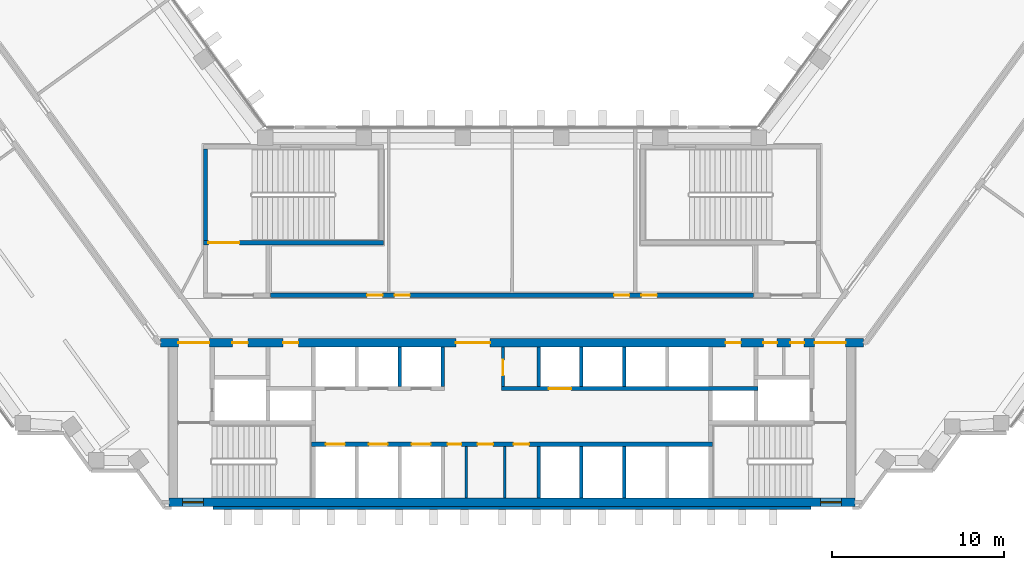
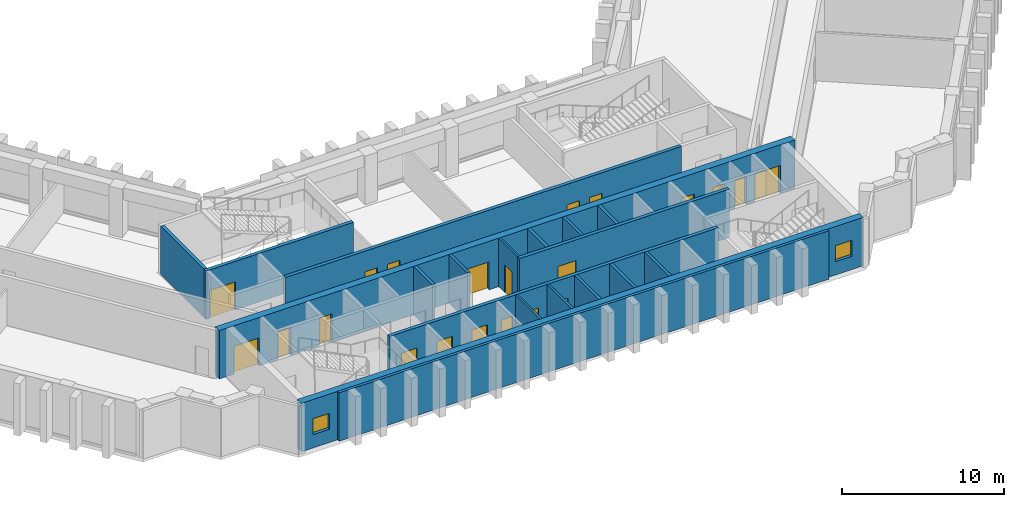
# One storey, part 6 of 13: 21 doors, 19 walls, 2 windows, 23 openings.
"""IFC4 building model written with IfcOpenShell, lengths in metres."""

from ifc_helpers import new_model, si_unit, direction, frame, frame_2d, origin, place, context, subcontext, project, spatial, rectangle, extrude, material, layer, layer_set, type_object, element, fill, save


model = new_model("IFC4")

# Units and contexts
model_context = context("Model", 3, precision=1e-05, world=origin(), true_north=direction((0.0, 1.0)))
body_context = subcontext(model_context, "Body", "Model", "MODEL_VIEW")
ifc_project = project(units=[si_unit("LENGTHUNIT", "METRE"), si_unit("AREAUNIT", "SQUARE_METRE"), si_unit("VOLUMEUNIT", "CUBIC_METRE"), si_unit("PLANEANGLEUNIT", "RADIAN"), si_unit("MASSUNIT", "GRAM", prefix="KILO")], contexts=[model_context])

# Site, building, storey
site_placement = place(None, origin())
site = spatial("IfcSite", under=ifc_project, at=site_placement, CompositionType="ELEMENT")
building_placement = place(site_placement, origin())
building = spatial("IfcBuilding", under=site, at=building_placement, Name="Quipu Civic Tower", CompositionType="ELEMENT")
storey_placement = place(building_placement, frame((0.0, 0.0, 67.0)))
storey = spatial("IfcBuildingStorey", under=building, at=storey_placement, Name="L15", CompositionType="ELEMENT", Elevation=67.0)

# Wall, openings, doors
ifc_material_1 = material(Name="Concrete C70/85", Category="concrete")
ifc_layer_1 = layer(ifc_material_1, 0.25)
ifc_layer_set_1 = layer_set([ifc_layer_1], Name="Concrete C70/85")
wall_type_1 = type_object("IfcWallType", Name="Core wall 250", PredefinedType="SHEAR", material=ifc_layer_set_1)
wall_1_placement = place(storey_placement, frame((11.699951171875, -7.375, 0.0), z_axis=(0.0, 0.0, 1.0), x_axis=(-1.0, 0.0, 0.0)))
wall_1 = element("IfcWall", 1, at=wall_1_placement, inside=storey, type_object=wall_type_1, Name="Core wall", PredefinedType="SHEAR", context=body_context, shape_type="SweptSolid", body=[
    extrude(rectangle(XDim=23.39990234375, YDim=0.25, at=frame_2d((11.699951171875, 0.0))), origin(), (0.0, 0.0, 1.0), 3.64990234375),
])
opening_1_placement = place(wall_1_placement, frame((21.449951171875, 0.0, 0.0)))
opening_1 = element("IfcOpeningElement", 2, at=opening_1_placement, cuts=wall_1, Name="Opening LD-LL1", PredefinedType="OPENING", context=body_context, shape_type="SweptSolid", body=[
    extrude(rectangle(XDim=1.10009765625, YDim=2.10009765625, at=frame_2d((0.550048828125, 1.050048828125))), frame((0.0, 0.135009765625, 0.0), z_axis=(0.0, -1.0, 0.0), x_axis=(1.0, 0.0, 0.0)), (0.0, 0.0, 1.0), 0.27001953125),
])
opening_2_placement = place(wall_1_placement, frame((18.949951171875, 0.0, 0.0)))
opening_2 = element("IfcOpeningElement", 3, at=opening_2_placement, cuts=wall_1, Name="Opening LD-LL2", PredefinedType="OPENING", context=body_context, shape_type="SweptSolid", body=[
    extrude(rectangle(XDim=1.10009765625, YDim=2.10009765625, at=frame_2d((0.550048828125, 1.050048828125))), frame((0.0, 0.135009765625, 0.0), z_axis=(0.0, -1.0, 0.0), x_axis=(1.0, 0.0, 0.0)), (0.0, 0.0, 1.0), 0.27001953125),
])
opening_3_placement = place(wall_1_placement, frame((16.449951171875, 0.0, 0.0)))
opening_3 = element("IfcOpeningElement", 4, at=opening_3_placement, cuts=wall_1, Name="Opening LD-LL3", PredefinedType="OPENING", context=body_context, shape_type="SweptSolid", body=[
    extrude(rectangle(XDim=1.10009765625, YDim=2.10009765625, at=frame_2d((0.550048828125, 1.050048828125))), frame((0.0, 0.135009765625, 0.0), z_axis=(0.0, -1.0, 0.0), x_axis=(1.0, 0.0, 0.0)), (0.0, 0.0, 1.0), 0.27001953125),
])
opening_4_placement = place(wall_1_placement, frame((14.64990234375, 0.0, 0.0)))
opening_4 = element("IfcOpeningElement", 5, at=opening_4_placement, cuts=wall_1, Name="Opening CD-01", PredefinedType="OPENING", context=body_context, shape_type="SweptSolid", body=[
    extrude(rectangle(XDim=0.800048828125, YDim=2.10009765625, at=frame_2d((0.39990234375, 1.050048828125))), frame((0.0, 0.135009765625, 0.0), z_axis=(0.0, -1.0, 0.0), x_axis=(1.0, 0.0, 0.0)), (0.0, 0.0, 1.0), 0.27001953125),
])
opening_5_placement = place(wall_1_placement, frame((12.800048828125, 0.0, 0.0)))
opening_5 = element("IfcOpeningElement", 6, at=opening_5_placement, cuts=wall_1, Name="Opening CD-02", PredefinedType="OPENING", context=body_context, shape_type="SweptSolid", body=[
    extrude(rectangle(XDim=0.89990234375, YDim=2.10009765625, at=frame_2d((0.449951171875, 1.050048828125))), frame((0.0, 0.135009765625, 0.0), z_axis=(0.0, -1.0, 0.0), x_axis=(1.0, 0.0, 0.0)), (0.0, 0.0, 1.0), 0.27001953125),
])
opening_6_placement = place(wall_1_placement, frame((10.699951171875, 0.0, 0.0)))
opening_6 = element("IfcOpeningElement", 7, at=opening_6_placement, cuts=wall_1, Name="Opening CD-03", PredefinedType="OPENING", context=body_context, shape_type="SweptSolid", body=[
    extrude(rectangle(XDim=0.89990234375, YDim=2.10009765625, at=frame_2d((0.449951171875, 1.050048828125))), frame((0.0, 0.135009765625, 0.0), z_axis=(0.0, -1.0, 0.0), x_axis=(1.0, 0.0, 0.0)), (0.0, 0.0, 1.0), 0.27001953125),
])
ifc_material_2 = material(Name="Fire rated steel door", Category="steel")
door_type_1 = type_object("IfcDoorType", Name="Fire door FD60 800 x 2100", OperationType="NOTDEFINED", PredefinedType="DOOR", material=ifc_material_2)
door_1_placement = place(opening_4_placement, origin())
door_1 = element("IfcDoor", 8, at=door_1_placement, inside=storey, type_object=door_type_1, Name="Door", OperationType="SINGLE_SWING_RIGHT", OverallHeight=2.10009765625, OverallWidth=0.800048828125, PredefinedType="DOOR", context=body_context, shape_type="SweptSolid", body=[
    extrude(rectangle(XDim=0.800048828125, YDim=2.10009765625, at=frame_2d((0.39990234375, 1.050048828125))), frame((0.0, 0.02490234375, 0.0), z_axis=(0.0, -1.0, 0.0), x_axis=(1.0, 0.0, 0.0)), (0.0, 0.0, 1.0), 0.050048828125),
])
fill(opening_4, door_1)
ifc_material_3 = material(Name="Fire rated steel door", Category="steel")
door_type_2 = type_object("IfcDoorType", Name="Fire door FD60 900 x 2100", OperationType="NOTDEFINED", PredefinedType="DOOR", material=ifc_material_3)
door_2_placement = place(opening_5_placement, origin())
door_2 = element("IfcDoor", 9, at=door_2_placement, inside=storey, type_object=door_type_2, Name="WC door", OperationType="SINGLE_SWING_RIGHT", OverallHeight=2.10009765625, OverallWidth=0.89990234375, PredefinedType="DOOR", context=body_context, shape_type="SweptSolid", body=[
    extrude(rectangle(XDim=0.89990234375, YDim=2.10009765625, at=frame_2d((0.449951171875, 1.050048828125))), frame((0.0, 0.02490234375, 0.0), z_axis=(0.0, -1.0, 0.0), x_axis=(1.0, 0.0, 0.0)), (0.0, 0.0, 1.0), 0.050048828125),
])
fill(opening_5, door_2)
door_3_placement = place(opening_6_placement, origin())
door_3 = element("IfcDoor", 10, at=door_3_placement, inside=storey, type_object=door_type_2, Name="WC door", OperationType="SINGLE_SWING_LEFT", OverallHeight=2.10009765625, OverallWidth=0.89990234375, PredefinedType="DOOR", context=body_context, shape_type="SweptSolid", body=[
    extrude(rectangle(XDim=0.89990234375, YDim=2.10009765625, at=frame_2d((0.449951171875, 1.050048828125))), frame((0.0, 0.02490234375, 0.0), z_axis=(0.0, -1.0, 0.0), x_axis=(1.0, 0.0, 0.0)), (0.0, 0.0, 1.0), 0.050048828125),
])
fill(opening_6, door_3)
ifc_material_4 = material(Name="Stainless steel", Category="steel")
door_type_3 = type_object("IfcDoorType", Name="Lift landing door 1100 x 2100", OperationType="DOUBLE_DOOR_SLIDING", PredefinedType="DOOR", material=ifc_material_4)
door_4_placement = place(opening_1_placement, origin())
door_4 = element("IfcDoor", 11, at=door_4_placement, inside=storey, type_object=door_type_3, Name="Landing door LL1", OperationType="DOUBLE_DOOR_SLIDING", OverallHeight=2.10009765625, OverallWidth=1.10009765625, PredefinedType="DOOR", context=body_context, shape_type="SweptSolid", body=[
    extrude(rectangle(XDim=1.10009765625, YDim=2.10009765625, at=frame_2d((0.550048828125, 1.050048828125))), frame((0.0, 0.02490234375, 0.0), z_axis=(0.0, -1.0, 0.0), x_axis=(1.0, 0.0, 0.0)), (0.0, 0.0, 1.0), 0.050048828125),
])
fill(opening_1, door_4)
door_5_placement = place(opening_2_placement, origin())
door_5 = element("IfcDoor", 12, at=door_5_placement, inside=storey, type_object=door_type_3, Name="Landing door LL2", OperationType="DOUBLE_DOOR_SLIDING", OverallHeight=2.10009765625, OverallWidth=1.10009765625, PredefinedType="DOOR", context=body_context, shape_type="SweptSolid", body=[
    extrude(rectangle(XDim=1.10009765625, YDim=2.10009765625, at=frame_2d((0.550048828125, 1.050048828125))), frame((0.0, 0.02490234375, 0.0), z_axis=(0.0, -1.0, 0.0), x_axis=(1.0, 0.0, 0.0)), (0.0, 0.0, 1.0), 0.050048828125),
])
fill(opening_2, door_5)
door_6_placement = place(opening_3_placement, origin())
door_6 = element("IfcDoor", 13, at=door_6_placement, inside=storey, type_object=door_type_3, Name="Landing door LL3", OperationType="DOUBLE_DOOR_SLIDING", OverallHeight=2.10009765625, OverallWidth=1.10009765625, PredefinedType="DOOR", context=body_context, shape_type="SweptSolid", body=[
    extrude(rectangle(XDim=1.10009765625, YDim=2.10009765625, at=frame_2d((0.550048828125, 1.050048828125))), frame((0.0, 0.02490234375, 0.0), z_axis=(0.0, -1.0, 0.0), x_axis=(1.0, 0.0, 0.0)), (0.0, 0.0, 1.0), 0.050048828125),
])
fill(opening_3, door_6)

# Wall, opening, door
wall_2_placement = place(storey_placement, frame((-0.60009765625, -4.125, 0.0), z_axis=(0.0, 0.0, 1.0), x_axis=(1.0, 0.0, 0.0)))
wall_2 = element("IfcWall", 14, at=wall_2_placement, inside=storey, type_object=wall_type_1, Name="Core wall", PredefinedType="SHEAR", context=body_context, shape_type="SweptSolid", body=[
    extrude(rectangle(XDim=14.9501953125, YDim=0.25, at=frame_2d((7.47509765625, 0.0))), origin(), (0.0, 0.0, 1.0), 3.64990234375),
])
opening_7_placement = place(wall_2_placement, frame((2.75, 0.0, 0.0)))
opening_7 = element("IfcOpeningElement", 15, at=opening_7_placement, cuts=wall_2, Name="Opening LD-FF3", PredefinedType="OPENING", context=body_context, shape_type="SweptSolid", body=[
    extrude(rectangle(XDim=1.300048828125, YDim=2.10009765625, at=frame_2d((0.64990234375, 1.050048828125))), frame((0.0, 0.135009765625, 0.0), z_axis=(0.0, -1.0, 0.0), x_axis=(1.0, 0.0, 0.0)), (0.0, 0.0, 1.0), 0.27001953125),
])
ifc_material_5 = material(Name="Stainless steel", Category="steel")
door_type_4 = type_object("IfcDoorType", Name="Lift landing door 1300 x 2100", OperationType="DOUBLE_DOOR_SLIDING", PredefinedType="DOOR", material=ifc_material_5)
door_7_placement = place(opening_7_placement, origin())
door_7 = element("IfcDoor", 16, at=door_7_placement, inside=storey, type_object=door_type_4, Name="Landing door FF3", OperationType="DOUBLE_DOOR_SLIDING", OverallHeight=2.10009765625, OverallWidth=1.300048828125, PredefinedType="DOOR", context=body_context, shape_type="SweptSolid", body=[
    extrude(rectangle(XDim=1.300048828125, YDim=2.10009765625, at=frame_2d((0.64990234375, 1.050048828125))), frame((0.0, 0.02490234375, 0.0), z_axis=(0.0, -1.0, 0.0), x_axis=(1.0, 0.0, 0.0)), (0.0, 0.0, 1.0), 0.050048828125),
])
fill(opening_7, door_7)

wall_3_placement = place(storey_placement, frame((-18.0, 4.375, 0.0), z_axis=(0.0, 0.0, 1.0), x_axis=(1.0, 0.0, 0.0)))
wall_3 = element("IfcWall", 17, at=wall_3_placement, inside=storey, type_object=wall_type_1, Name="Core wall", PredefinedType="SHEAR", context=body_context, shape_type="SweptSolid", body=[
    extrude(rectangle(XDim=10.5, YDim=0.25, at=frame_2d((5.25, 0.0))), origin(), (0.0, 0.0, 1.0), 3.64990234375),
])
opening_8_placement = place(wall_3_placement, frame((0.300048828125, 0.0, 0.0)))
opening_8 = element("IfcOpeningElement", 18, at=opening_8_placement, cuts=wall_3, Name="Opening CD-16", PredefinedType="OPENING", context=body_context, shape_type="SweptSolid", body=[
    extrude(rectangle(XDim=1.800048828125, YDim=2.10009765625, at=frame_2d((0.89990234375, 1.050048828125))), frame((0.0, 0.135009765625, 0.0), z_axis=(0.0, -1.0, 0.0), x_axis=(1.0, 0.0, 0.0)), (0.0, 0.0, 1.0), 0.27001953125),
])
ifc_material_6 = material(Name="Fire rated steel door", Category="steel")
door_type_5 = type_object("IfcDoorType", Name="Fire door FD90 double 1800 x 2100", OperationType="NOTDEFINED", PredefinedType="DOOR", material=ifc_material_6)
door_8_placement = place(opening_8_placement, origin())
door_8 = element("IfcDoor", 19, at=door_8_placement, inside=storey, type_object=door_type_5, Name="Door", OperationType="DOUBLE_DOOR_SINGLE_SWING", OverallHeight=2.10009765625, OverallWidth=1.800048828125, PredefinedType="DOOR", context=body_context, shape_type="SweptSolid", body=[
    extrude(rectangle(XDim=1.800048828125, YDim=2.10009765625, at=frame_2d((0.89990234375, 1.050048828125))), frame((0.0, 0.02490234375, 0.0), z_axis=(0.0, -1.0, 0.0), x_axis=(1.0, 0.0, 0.0)), (0.0, 0.0, 1.0), 0.050048828125),
])
fill(opening_8, door_8)

# Wall
wall_4_placement = place(storey_placement, frame((-17.875, 4.5, 0.0), z_axis=(0.0, 0.0, 1.0), x_axis=(0.0, 1.0, 0.0)))
element("IfcWall", 20, at=wall_4_placement, inside=storey, type_object=wall_type_1, Name="Core wall", PredefinedType="SHEAR", context=body_context, shape_type="SweptSolid", body=[
    extrude(rectangle(XDim=5.35009765625, YDim=0.25, at=frame_2d((2.675048828125, 0.0))), origin(), (0.0, 0.0, 1.0), 3.64990234375),
])

# Wall, openings, windows
ifc_material_7 = material(Name="Concrete C70/85", Category="concrete")
ifc_layer_2 = layer(ifc_material_7, 0.5)
ifc_layer_set_2 = layer_set([ifc_layer_2], Name="Concrete C70/85")
wall_type_2 = type_object("IfcWallType", Name="Core wall 500", PredefinedType="SHEAR", material=ifc_layer_set_2)
wall_5_placement = place(storey_placement, frame((-20.0, -10.75, 0.0), z_axis=(0.0, 0.0, 1.0), x_axis=(1.0, 0.0, 0.0)))
wall_5 = element("IfcWall", 21, at=wall_5_placement, inside=storey, type_object=wall_type_2, Name="Core wall", PredefinedType="SHEAR", context=body_context, shape_type="SweptSolid", body=[
    extrude(rectangle(XDim=40.0, YDim=0.5, at=frame_2d((20.0, 0.0))), origin(), (0.0, 0.0, 1.0), 3.64990234375),
])
opening_9_placement = place(wall_5_placement, frame((0.800048828125, 0.0, 1.0)))
opening_9 = element("IfcOpeningElement", 22, at=opening_9_placement, cuts=wall_5, Name="Opening SV-1", PredefinedType="OPENING", context=body_context, shape_type="SweptSolid", body=[
    extrude(rectangle(XDim=1.199951171875, YDim=1.199951171875, at=frame_2d((0.60009765625, 0.60009765625))), frame((0.0, 0.260009765625, 0.0), z_axis=(0.0, -1.0, 0.0), x_axis=(1.0, 0.0, 0.0)), (0.0, 0.0, 1.0), 0.52001953125),
])
opening_10_placement = place(wall_5_placement, frame((38.0, 0.0, 1.0)))
opening_10 = element("IfcOpeningElement", 23, at=opening_10_placement, cuts=wall_5, Name="Opening SV-2", PredefinedType="OPENING", context=body_context, shape_type="SweptSolid", body=[
    extrude(rectangle(XDim=1.199951171875, YDim=1.199951171875, at=frame_2d((0.60009765625, 0.60009765625))), frame((0.0, 0.260009765625, 0.0), z_axis=(0.0, -1.0, 0.0), x_axis=(1.0, 0.0, 0.0)), (0.0, 0.0, 1.0), 0.52001953125),
])
ifc_material_8 = material(Name="Aluminium louvre", Category="aluminium")
window_type = type_object("IfcWindowType", Name="Stair ventilation louvre 1200 x 1200", PartitioningType="SINGLE_PANEL", PredefinedType="WINDOW", material=ifc_material_8)
window_1_placement = place(opening_9_placement, origin())
window_1 = element("IfcWindow", 24, at=window_1_placement, inside=storey, type_object=window_type, Name="Stair ventilation opening", OverallHeight=1.199951171875, OverallWidth=1.199951171875, PartitioningType="SINGLE_PANEL", PredefinedType="WINDOW", context=body_context, shape_type="SweptSolid", body=[
    extrude(rectangle(XDim=1.199951171875, YDim=1.199951171875, at=frame_2d((0.60009765625, 0.60009765625))), frame((0.0, 0.030029296875, 0.0), z_axis=(0.0, -1.0, 0.0), x_axis=(1.0, 0.0, 0.0)), (0.0, 0.0, 1.0), 0.06005859375),
])
fill(opening_9, window_1)
window_2_placement = place(opening_10_placement, origin())
window_2 = element("IfcWindow", 25, at=window_2_placement, inside=storey, type_object=window_type, Name="Stair ventilation opening", OverallHeight=1.199951171875, OverallWidth=1.199951171875, PartitioningType="SINGLE_PANEL", PredefinedType="WINDOW", context=body_context, shape_type="SweptSolid", body=[
    extrude(rectangle(XDim=1.199951171875, YDim=1.199951171875, at=frame_2d((0.60009765625, 0.60009765625))), frame((0.0, 0.030029296875, 0.0), z_axis=(0.0, -1.0, 0.0), x_axis=(1.0, 0.0, 0.0)), (0.0, 0.0, 1.0), 0.06005859375),
])
fill(opening_10, window_2)

# Wall, openings, doors
wall_6_placement = place(storey_placement, frame((20.489990234375, -1.449951171875, 0.0), z_axis=(0.0, 0.0, 1.0), x_axis=(-1.0, 0.0, 0.0)))
wall_6 = element("IfcWall", 26, at=wall_6_placement, inside=storey, type_object=wall_type_2, Name="Core wall", PredefinedType="SHEAR", context=body_context, shape_type="SweptSolid", body=[
    extrude(rectangle(XDim=40.97998046875, YDim=0.5, at=frame_2d((20.489990234375, 0.0))), origin(), (0.0, 0.0, 1.0), 3.64990234375),
])
opening_11_placement = place(wall_6_placement, frame((38.139892578125, 0.0, 0.0)))
opening_11 = element("IfcOpeningElement", 27, at=opening_11_placement, cuts=wall_6, Name="Opening CD-07", PredefinedType="OPENING", context=body_context, shape_type="SweptSolid", body=[
    extrude(rectangle(XDim=1.800048828125, YDim=2.10009765625, at=frame_2d((0.89990234375, 1.050048828125))), frame((0.0, 0.260009765625, 0.0), z_axis=(0.0, -1.0, 0.0), x_axis=(1.0, 0.0, 0.0)), (0.0, 0.0, 1.0), 0.52001953125),
])
opening_12_placement = place(wall_6_placement, frame((35.889892578125, 0.0, 0.0)))
opening_12 = element("IfcOpeningElement", 28, at=opening_12_placement, cuts=wall_6, Name="Opening CD-08", PredefinedType="OPENING", context=body_context, shape_type="SweptSolid", body=[
    extrude(rectangle(XDim=0.89990234375, YDim=2.10009765625, at=frame_2d((0.449951171875, 1.050048828125))), frame((0.0, 0.260009765625, 0.0), z_axis=(0.0, -1.0, 0.0), x_axis=(1.0, 0.0, 0.0)), (0.0, 0.0, 1.0), 0.52001953125),
])
opening_13_placement = place(wall_6_placement, frame((32.93994140625, 0.0, 0.0)))
opening_13 = element("IfcOpeningElement", 29, at=opening_13_placement, cuts=wall_6, Name="Opening CD-09", PredefinedType="OPENING", context=body_context, shape_type="SweptSolid", body=[
    extrude(rectangle(XDim=0.89990234375, YDim=2.10009765625, at=frame_2d((0.449951171875, 1.050048828125))), frame((0.0, 0.260009765625, 0.0), z_axis=(0.0, -1.0, 0.0), x_axis=(1.0, 0.0, 0.0)), (0.0, 0.0, 1.0), 0.52001953125),
])
opening_14_placement = place(wall_6_placement, frame((21.764892578125, 0.0, 0.0)))
opening_14 = element("IfcOpeningElement", 30, at=opening_14_placement, cuts=wall_6, Name="Opening CD-10", PredefinedType="OPENING", context=body_context, shape_type="SweptSolid", body=[
    extrude(rectangle(XDim=2.0, YDim=2.10009765625, at=frame_2d((1.0, 1.050048828125))), frame((0.0, 0.260009765625, 0.0), z_axis=(0.0, -1.0, 0.0), x_axis=(1.0, 0.0, 0.0)), (0.0, 0.0, 1.0), 0.52001953125),
])
opening_15_placement = place(wall_6_placement, frame((7.139892578125, 0.0, 0.0)))
opening_15 = element("IfcOpeningElement", 31, at=opening_15_placement, cuts=wall_6, Name="Opening CD-11", PredefinedType="OPENING", context=body_context, shape_type="SweptSolid", body=[
    extrude(rectangle(XDim=0.89990234375, YDim=2.10009765625, at=frame_2d((0.449951171875, 1.050048828125))), frame((0.0, 0.260009765625, 0.0), z_axis=(0.0, -1.0, 0.0), x_axis=(1.0, 0.0, 0.0)), (0.0, 0.0, 1.0), 0.52001953125),
])
opening_16_placement = place(wall_6_placement, frame((5.027587890625, 0.0, 0.0)))
opening_16 = element("IfcOpeningElement", 32, at=opening_16_placement, cuts=wall_6, Name="Opening CD-12", PredefinedType="OPENING", context=body_context, shape_type="SweptSolid", body=[
    extrude(rectangle(XDim=0.800048828125, YDim=2.10009765625, at=frame_2d((0.39990234375, 1.050048828125))), frame((0.0, 0.260009765625, 0.0), z_axis=(0.0, -1.0, 0.0), x_axis=(1.0, 0.0, 0.0)), (0.0, 0.0, 1.0), 0.52001953125),
])
opening_17_placement = place(wall_6_placement, frame((3.452392578125, 0.0, 0.0)))
opening_17 = element("IfcOpeningElement", 33, at=opening_17_placement, cuts=wall_6, Name="Opening CD-13", PredefinedType="OPENING", context=body_context, shape_type="SweptSolid", body=[
    extrude(rectangle(XDim=0.800048828125, YDim=2.10009765625, at=frame_2d((0.39990234375, 1.050048828125))), frame((0.0, 0.260009765625, 0.0), z_axis=(0.0, -1.0, 0.0), x_axis=(1.0, 0.0, 0.0)), (0.0, 0.0, 1.0), 0.52001953125),
])
opening_18_placement = place(wall_6_placement, frame((1.0400390625, 0.0, 0.0)))
opening_18 = element("IfcOpeningElement", 34, at=opening_18_placement, cuts=wall_6, Name="Opening CD-14", PredefinedType="OPENING", context=body_context, shape_type="SweptSolid", body=[
    extrude(rectangle(XDim=1.800048828125, YDim=2.10009765625, at=frame_2d((0.89990234375, 1.050048828125))), frame((0.0, 0.260009765625, 0.0), z_axis=(0.0, -1.0, 0.0), x_axis=(1.0, 0.0, 0.0)), (0.0, 0.0, 1.0), 0.52001953125),
])
door_9_placement = place(opening_16_placement, origin())
door_9 = element("IfcDoor", 35, at=door_9_placement, inside=storey, type_object=door_type_1, Name="Door", OperationType="SINGLE_SWING_LEFT", OverallHeight=2.10009765625, OverallWidth=0.800048828125, PredefinedType="DOOR", context=body_context, shape_type="SweptSolid", body=[
    extrude(rectangle(XDim=0.800048828125, YDim=2.10009765625, at=frame_2d((0.39990234375, 1.050048828125))), frame((0.0, 0.02490234375, 0.0), z_axis=(0.0, -1.0, 0.0), x_axis=(1.0, 0.0, 0.0)), (0.0, 0.0, 1.0), 0.050048828125),
])
fill(opening_16, door_9)
door_10_placement = place(opening_17_placement, origin())
door_10 = element("IfcDoor", 36, at=door_10_placement, inside=storey, type_object=door_type_1, Name="Door", OperationType="SINGLE_SWING_LEFT", OverallHeight=2.10009765625, OverallWidth=0.800048828125, PredefinedType="DOOR", context=body_context, shape_type="SweptSolid", body=[
    extrude(rectangle(XDim=0.800048828125, YDim=2.10009765625, at=frame_2d((0.39990234375, 1.050048828125))), frame((0.0, 0.02490234375, 0.0), z_axis=(0.0, -1.0, 0.0), x_axis=(1.0, 0.0, 0.0)), (0.0, 0.0, 1.0), 0.050048828125),
])
fill(opening_17, door_10)
door_11_placement = place(opening_12_placement, origin())
door_11 = element("IfcDoor", 37, at=door_11_placement, inside=storey, type_object=door_type_2, Name="Door", OperationType="SINGLE_SWING_RIGHT", OverallHeight=2.10009765625, OverallWidth=0.89990234375, PredefinedType="DOOR", context=body_context, shape_type="SweptSolid", body=[
    extrude(rectangle(XDim=0.89990234375, YDim=2.10009765625, at=frame_2d((0.449951171875, 1.050048828125))), frame((0.0, 0.02490234375, 0.0), z_axis=(0.0, -1.0, 0.0), x_axis=(1.0, 0.0, 0.0)), (0.0, 0.0, 1.0), 0.050048828125),
])
fill(opening_12, door_11)
door_12_placement = place(opening_13_placement, origin())
door_12 = element("IfcDoor", 38, at=door_12_placement, inside=storey, type_object=door_type_2, Name="Riser door", OperationType="SINGLE_SWING_RIGHT", OverallHeight=2.10009765625, OverallWidth=0.89990234375, PredefinedType="DOOR", context=body_context, shape_type="SweptSolid", body=[
    extrude(rectangle(XDim=0.89990234375, YDim=2.10009765625, at=frame_2d((0.449951171875, 1.050048828125))), frame((0.0, 0.02490234375, 0.0), z_axis=(0.0, -1.0, 0.0), x_axis=(1.0, 0.0, 0.0)), (0.0, 0.0, 1.0), 0.050048828125),
])
fill(opening_13, door_12)
door_13_placement = place(opening_15_placement, origin())
door_13 = element("IfcDoor", 39, at=door_13_placement, inside=storey, type_object=door_type_2, Name="Riser door", OperationType="SINGLE_SWING_LEFT", OverallHeight=2.10009765625, OverallWidth=0.89990234375, PredefinedType="DOOR", context=body_context, shape_type="SweptSolid", body=[
    extrude(rectangle(XDim=0.89990234375, YDim=2.10009765625, at=frame_2d((0.449951171875, 1.050048828125))), frame((0.0, 0.02490234375, 0.0), z_axis=(0.0, -1.0, 0.0), x_axis=(1.0, 0.0, 0.0)), (0.0, 0.0, 1.0), 0.050048828125),
])
fill(opening_15, door_13)
door_14_placement = place(opening_11_placement, origin())
door_14 = element("IfcDoor", 40, at=door_14_placement, inside=storey, type_object=door_type_5, Name="Lobby door", OperationType="DOUBLE_DOOR_SINGLE_SWING", OverallHeight=2.10009765625, OverallWidth=1.800048828125, PredefinedType="DOOR", context=body_context, shape_type="SweptSolid", body=[
    extrude(rectangle(XDim=1.800048828125, YDim=2.10009765625, at=frame_2d((0.89990234375, 1.050048828125))), frame((0.0, 0.02490234375, 0.0), z_axis=(0.0, -1.0, 0.0), x_axis=(1.0, 0.0, 0.0)), (0.0, 0.0, 1.0), 0.050048828125),
])
fill(opening_11, door_14)
door_15_placement = place(opening_18_placement, origin())
door_15 = element("IfcDoor", 41, at=door_15_placement, inside=storey, type_object=door_type_5, Name="Lobby door", OperationType="DOUBLE_DOOR_SINGLE_SWING", OverallHeight=2.10009765625, OverallWidth=1.800048828125, PredefinedType="DOOR", context=body_context, shape_type="SweptSolid", body=[
    extrude(rectangle(XDim=1.800048828125, YDim=2.10009765625, at=frame_2d((0.89990234375, 1.050048828125))), frame((0.0, 0.02490234375, 0.0), z_axis=(0.0, -1.0, 0.0), x_axis=(1.0, 0.0, 0.0)), (0.0, 0.0, 1.0), 0.050048828125),
])
fill(opening_18, door_15)
ifc_material_9 = material(Name="Fire rated steel door", Category="steel")
door_type_6 = type_object("IfcDoorType", Name="Fire door FD90 double 2000 x 2100", OperationType="NOTDEFINED", PredefinedType="DOOR", material=ifc_material_9)
door_16_placement = place(opening_14_placement, origin())
door_16 = element("IfcDoor", 42, at=door_16_placement, inside=storey, type_object=door_type_6, Name="Lobby door", OperationType="DOUBLE_DOOR_SINGLE_SWING", OverallHeight=2.10009765625, OverallWidth=2.0, PredefinedType="DOOR", context=body_context, shape_type="SweptSolid", body=[
    extrude(rectangle(XDim=2.0, YDim=2.10009765625, at=frame_2d((1.0, 1.050048828125))), frame((0.0, 0.02490234375, 0.0), z_axis=(0.0, -1.0, 0.0), x_axis=(1.0, 0.0, 0.0)), (0.0, 0.0, 1.0), 0.050048828125),
])
fill(opening_14, door_16)

ifc_material_10 = material(Name="Concrete C50/60", Category="concrete")
ifc_layer_3 = layer(ifc_material_10, 0.25)
ifc_layer_set_3 = layer_set([ifc_layer_3], Name="Concrete C50/60")
wall_type_3 = type_object("IfcWallType", Name="Corridor wall 250 concrete", PredefinedType="SOLIDWALL", material=ifc_layer_set_3)
wall_7_placement = place(storey_placement, frame((-14.090087890625, 1.324951171875, 0.0), z_axis=(0.0, 0.0, 1.0), x_axis=(1.0, 0.0, 0.0)))
wall_7 = element("IfcWall", 43, at=wall_7_placement, inside=storey, type_object=wall_type_3, Name="Corridor wall C05", PredefinedType="SOLIDWALL", context=body_context, shape_type="SweptSolid", body=[
    extrude(rectangle(XDim=28.18017578125, YDim=0.25, at=frame_2d((14.090087890625, 0.0))), origin(), (0.0, 0.0, 1.0), 3.64990234375),
])
opening_19_placement = place(wall_7_placement, frame((20.0380859375, 0.0, 0.0)))
opening_19 = element("IfcOpeningElement", 44, at=opening_19_placement, cuts=wall_7, Name="Opening D013", PredefinedType="OPENING", context=body_context, shape_type="SweptSolid", body=[
    extrude(rectangle(XDim=0.89990234375, YDim=2.10009765625, at=frame_2d((0.449951171875, 1.050048828125))), frame((0.0, 0.135009765625, 0.0), z_axis=(0.0, -1.0, 0.0), x_axis=(1.0, 0.0, 0.0)), (0.0, 0.0, 1.0), 0.27001953125),
])
opening_20_placement = place(wall_7_placement, frame((7.241943359375, 0.0, 0.0)))
opening_20 = element("IfcOpeningElement", 45, at=opening_20_placement, cuts=wall_7, Name="Opening D012", PredefinedType="OPENING", context=body_context, shape_type="SweptSolid", body=[
    extrude(rectangle(XDim=0.89990234375, YDim=2.10009765625, at=frame_2d((0.449951171875, 1.050048828125))), frame((0.0, 0.135009765625, 0.0), z_axis=(0.0, -1.0, 0.0), x_axis=(1.0, 0.0, 0.0)), (0.0, 0.0, 1.0), 0.27001953125),
])
opening_21_placement = place(wall_7_placement, frame((21.637939453125, 0.0, 0.0)))
opening_21 = element("IfcOpeningElement", 46, at=opening_21_placement, cuts=wall_7, Name="Opening D014", PredefinedType="OPENING", context=body_context, shape_type="SweptSolid", body=[
    extrude(rectangle(XDim=0.89990234375, YDim=2.10009765625, at=frame_2d((0.449951171875, 1.050048828125))), frame((0.0, 0.135009765625, 0.0), z_axis=(0.0, -1.0, 0.0), x_axis=(1.0, 0.0, 0.0)), (0.0, 0.0, 1.0), 0.27001953125),
])
opening_22_placement = place(wall_7_placement, frame((5.64208984375, 0.0, 0.0)))
opening_22 = element("IfcOpeningElement", 47, at=opening_22_placement, cuts=wall_7, Name="Opening D011", PredefinedType="OPENING", context=body_context, shape_type="SweptSolid", body=[
    extrude(rectangle(XDim=0.89990234375, YDim=2.10009765625, at=frame_2d((0.449951171875, 1.050048828125))), frame((0.0, 0.135009765625, 0.0), z_axis=(0.0, -1.0, 0.0), x_axis=(1.0, 0.0, 0.0)), (0.0, 0.0, 1.0), 0.27001953125),
])
ifc_material_11 = material(Name="Fire rated timber door set with metal frame", Category="wood")
door_type_7 = type_object("IfcDoorType", Name="Single door 900 x 2100 FD60", OperationType="NOTDEFINED", PredefinedType="DOOR", material=ifc_material_11)
door_17_placement = place(opening_19_placement, origin())
door_17 = element("IfcDoor", 48, at=door_17_placement, inside=storey, type_object=door_type_7, Name="Door D013", OperationType="SINGLE_SWING_RIGHT", OverallHeight=2.10009765625, OverallWidth=0.89990234375, PredefinedType="DOOR", context=body_context, shape_type="SweptSolid", body=[
    extrude(rectangle(XDim=0.89990234375, YDim=2.10009765625, at=frame_2d((0.449951171875, 1.050048828125))), frame((0.0, 0.02490234375, 0.0), z_axis=(0.0, -1.0, 0.0), x_axis=(1.0, 0.0, 0.0)), (0.0, 0.0, 1.0), 0.050048828125),
])
fill(opening_19, door_17)
door_18_placement = place(opening_20_placement, origin())
door_18 = element("IfcDoor", 49, at=door_18_placement, inside=storey, type_object=door_type_7, Name="Door D012", OperationType="SINGLE_SWING_LEFT", OverallHeight=2.10009765625, OverallWidth=0.89990234375, PredefinedType="DOOR", context=body_context, shape_type="SweptSolid", body=[
    extrude(rectangle(XDim=0.89990234375, YDim=2.10009765625, at=frame_2d((0.449951171875, 1.050048828125))), frame((0.0, 0.02490234375, 0.0), z_axis=(0.0, -1.0, 0.0), x_axis=(1.0, 0.0, 0.0)), (0.0, 0.0, 1.0), 0.050048828125),
])
fill(opening_20, door_18)
door_19_placement = place(opening_21_placement, origin())
door_19 = element("IfcDoor", 50, at=door_19_placement, inside=storey, type_object=door_type_7, Name="Door D014", OperationType="SINGLE_SWING_LEFT", OverallHeight=2.10009765625, OverallWidth=0.89990234375, PredefinedType="DOOR", context=body_context, shape_type="SweptSolid", body=[
    extrude(rectangle(XDim=0.89990234375, YDim=2.10009765625, at=frame_2d((0.449951171875, 1.050048828125))), frame((0.0, 0.02490234375, 0.0), z_axis=(0.0, -1.0, 0.0), x_axis=(1.0, 0.0, 0.0)), (0.0, 0.0, 1.0), 0.050048828125),
])
fill(opening_21, door_19)
door_20_placement = place(opening_22_placement, origin())
door_20 = element("IfcDoor", 51, at=door_20_placement, inside=storey, type_object=door_type_7, Name="Door D011", OperationType="SINGLE_SWING_RIGHT", OverallHeight=2.10009765625, OverallWidth=0.89990234375, PredefinedType="DOOR", context=body_context, shape_type="SweptSolid", body=[
    extrude(rectangle(XDim=0.89990234375, YDim=2.10009765625, at=frame_2d((0.449951171875, 1.050048828125))), frame((0.0, 0.02490234375, 0.0), z_axis=(0.0, -1.0, 0.0), x_axis=(1.0, 0.0, 0.0)), (0.0, 0.0, 1.0), 0.050048828125),
])
fill(opening_22, door_20)

# Walls
ifc_material_12 = material(Name="Gypsum board partition")
ifc_layer_4 = layer(ifc_material_12, 0.14990234375)
ifc_layer_set_4 = layer_set([ifc_layer_4], Name="Gypsum board partition")
wall_type_4 = type_object("IfcWallType", Name="Partition 150", PredefinedType="PARTITIONING", material=ifc_layer_set_4)
for number, where, z_axis, x_axis, name in (
    (52, (-2.675048828125, -10.5, 0.0), (0.0, 0.0, 1.0), (0.0, 1.0, 0.0), "Partition"),
    (53, (-0.425048828125, -10.5, 0.0), (0.0, 0.0, 1.0), (0.0, 1.0, 0.0), "Partition"),
):
    element("IfcWall", number, at=place(storey_placement, frame(where, z_axis=z_axis, x_axis=x_axis)), inside=storey, type_object=wall_type_4, Name=name, PredefinedType="PARTITIONING", context=body_context, shape_type="SweptSolid", body=[
        extrude(rectangle(XDim=3.0, YDim=0.14990234375, at=frame_2d((1.5, 0.0))), origin(), (0.0, 0.0, 1.0), 3.64990234375),
    ])

# Wall, opening, door
wall_8_placement = place(storey_placement, frame((-0.52490234375, -4.0, 0.0), z_axis=(0.0, 0.0, 1.0), x_axis=(0.0, 1.0, 0.0)))
wall_8 = element("IfcWall", 54, at=wall_8_placement, inside=storey, type_object=wall_type_4, Name="Partition", PredefinedType="PARTITIONING", context=body_context, shape_type="SweptSolid", body=[
    extrude(rectangle(XDim=2.300048828125, YDim=0.14990234375, at=frame_2d((1.14990234375, 0.0))), origin(), (0.0, 0.0, 1.0), 3.64990234375),
])
opening_23_placement = place(wall_8_placement, frame((0.64990234375, 0.0, 0.0)))
opening_23 = element("IfcOpeningElement", 55, at=opening_23_placement, cuts=wall_8, Name="Opening CD-06", PredefinedType="OPENING", context=body_context, shape_type="SweptSolid", body=[
    extrude(rectangle(XDim=0.89990234375, YDim=2.10009765625, at=frame_2d((0.449951171875, 1.050048828125))), frame((0.0, 0.0849609375, 0.0), z_axis=(0.0, -1.0, 0.0), x_axis=(1.0, 0.0, 0.0)), (0.0, 0.0, 1.0), 0.169921875),
])
door_21_placement = place(opening_23_placement, origin())
door_21 = element("IfcDoor", 56, at=door_21_placement, inside=storey, type_object=door_type_2, Name="WC door", OperationType="SINGLE_SWING_LEFT", OverallHeight=2.10009765625, OverallWidth=0.89990234375, PredefinedType="DOOR", context=body_context, shape_type="SweptSolid", body=[
    extrude(rectangle(XDim=0.89990234375, YDim=2.10009765625, at=frame_2d((0.449951171875, 1.050048828125))), frame((0.0, 0.02490234375, 0.0), z_axis=(0.0, -1.0, 0.0), x_axis=(1.0, 0.0, 0.0)), (0.0, 0.0, 1.0), 0.050048828125),
])
fill(opening_23, door_21)

# Walls
ifc_material_13 = material(Name="Precast concrete C40/50", Category="concrete")
wall_type_5 = type_object("IfcWallType", Name="Precast cladding wall", PredefinedType="SOLIDWALL", material=ifc_material_13)
wall_9_placement = place(storey_placement, frame((-17.44384765625, -11.087890625, 0.0), z_axis=(0.0, 0.0, 1.0), x_axis=(1.0, 0.0, 0.0)))
element("IfcWall", 57, at=wall_9_placement, inside=storey, type_object=wall_type_5, Name="Precast cladding wall L15 14", PredefinedType="SOLIDWALL", context=body_context, shape_type="SweptSolid", body=[
    extrude(rectangle(XDim=34.8876953125, YDim=0.199951171875, at=frame_2d((17.44384765625, 0.0))), origin(), (0.0, 0.0, 1.0), 3.64990234375),
])
ifc_material_14 = material(Name="Concrete C40/50", Category="concrete")
ifc_layer_5 = layer(ifc_material_14, 0.199951171875)
ifc_layer_set_5 = layer_set([ifc_layer_5], Name="Concrete C40/50")
wall_type_6 = type_object("IfcWallType", Name="Shaft wall 200", PredefinedType="SOLIDWALL", material=ifc_layer_set_5)
for number, where, z_axis, x_axis, name in (
    (58, (1.550048828125, -10.5, 0.0), (0.0, 0.0, 1.0), (0.0, 1.0, 0.0), "Shaft wall"),
    (59, (4.050048828125, -10.5, 0.0), (0.0, 0.0, 1.0), (0.0, 1.0, 0.0), "Shaft wall"),
    (60, (6.550048828125, -10.5, 0.0), (0.0, 0.0, 1.0), (0.0, 1.0, 0.0), "Shaft wall"),
):
    element("IfcWall", number, at=place(storey_placement, frame(where, z_axis=z_axis, x_axis=x_axis)), inside=storey, type_object=wall_type_6, Name=name, PredefinedType="SOLIDWALL", context=body_context, shape_type="SweptSolid", body=[
        extrude(rectangle(XDim=3.0, YDim=0.199951171875, at=frame_2d((1.5, 0.0))), origin(), (0.0, 0.0, 1.0), 3.64990234375),
    ])
for number, where, z_axis, x_axis, name in (
    (61, (-6.550048828125, -4.0, 0.0), (0.0, 0.0, 1.0), (0.0, 1.0, 0.0), "Shaft wall"),
    (62, (-4.050048828125, -4.0, 0.0), (0.0, 0.0, 1.0), (0.0, 1.0, 0.0), "Shaft wall"),
    (63, (1.550048828125, -4.0, 0.0), (0.0, 0.0, 1.0), (0.0, 1.0, 0.0), "Shaft wall"),
    (64, (4.050048828125, -4.0, 0.0), (0.0, 0.0, 1.0), (0.0, 1.0, 0.0), "Shaft wall"),
    (65, (6.550048828125, -4.0, 0.0), (0.0, 0.0, 1.0), (0.0, 1.0, 0.0), "Shaft wall"),
):
    element("IfcWall", number, at=place(storey_placement, frame(where, z_axis=z_axis, x_axis=x_axis)), inside=storey, type_object=wall_type_6, Name=name, PredefinedType="SOLIDWALL", context=body_context, shape_type="SweptSolid", body=[
        extrude(rectangle(XDim=2.300048828125, YDim=0.199951171875, at=frame_2d((1.14990234375, 0.0))), origin(), (0.0, 0.0, 1.0), 3.64990234375),
    ])

save(model, "model.ifc")
